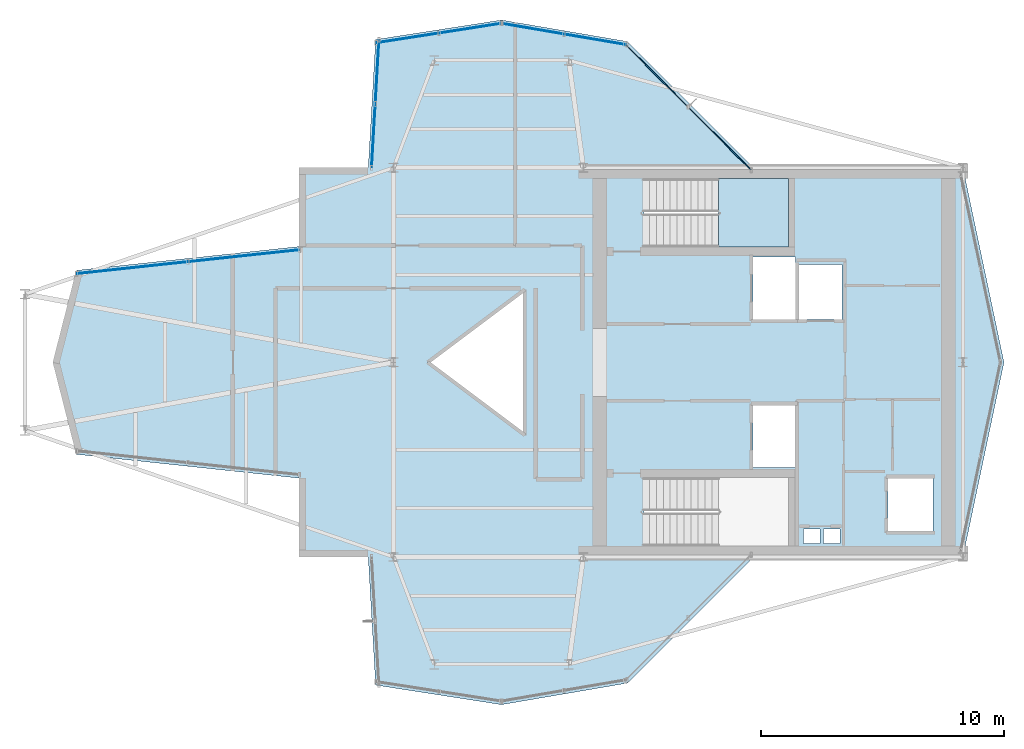
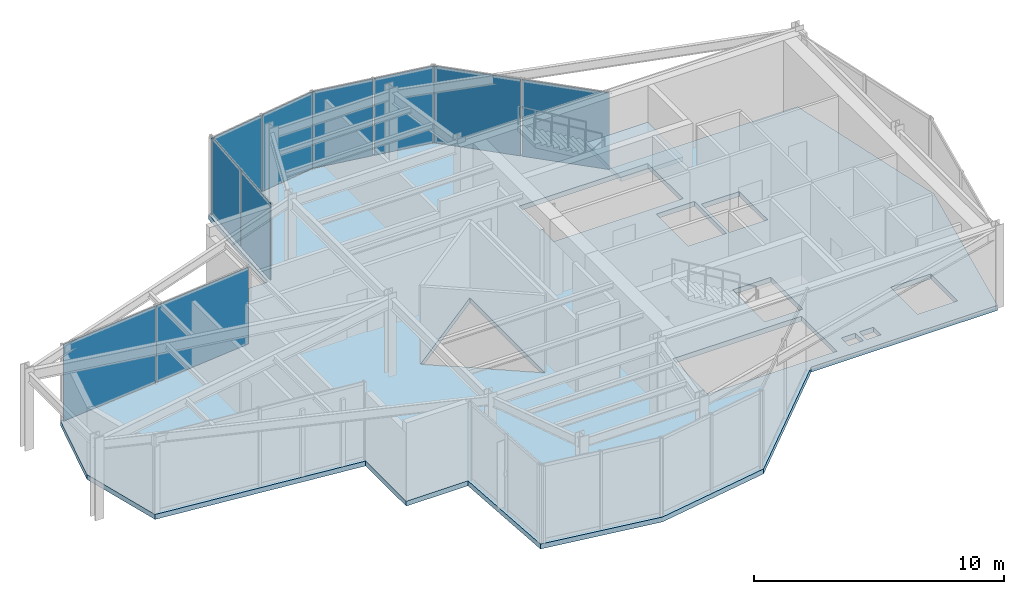
# One storey, part 9 of 13: 10 plates, 2 slabs, 6 elements without a shape of their own.
"""IFC4 building model written with IfcOpenShell, lengths in metres."""

from ifc_helpers import new_model, si_unit, direction, frame, origin, origin_2d, place, context, subcontext, project, spatial, polyline, rectangle, outline, extrude, material, layer, layer_set, type_object, element, aggregate, save


model = new_model("IFC4")

# Units and contexts
model_context = context("Model", 3, precision=1e-05, world=origin(), true_north=direction((0.0, 1.0)))
body_context = subcontext(model_context, "Body", "Model", "MODEL_VIEW")
ifc_project = project(units=[si_unit("LENGTHUNIT", "METRE"), si_unit("AREAUNIT", "SQUARE_METRE"), si_unit("VOLUMEUNIT", "CUBIC_METRE"), si_unit("PLANEANGLEUNIT", "RADIAN"), si_unit("MASSUNIT", "GRAM", prefix="KILO")], contexts=[model_context])

# Site, building, storey
site_placement = place(None, origin())
site = spatial("IfcSite", under=ifc_project, at=site_placement, CompositionType="ELEMENT")
building_placement = place(site_placement, origin())
building = spatial("IfcBuilding", under=site, at=building_placement, Name="Veymaron Broadcast Tower", CompositionType="ELEMENT")
storey_placement = place(building_placement, frame((0.0, 0.0, 307.35009765625)))
storey = spatial("IfcBuildingStorey", under=building, at=storey_placement, Name="L72", CompositionType="ELEMENT", Elevation=307.35009765625)

# Curtain wall, plates
ifc_material_1 = material(Name="Anodised aluminium AA 6063-T6 and laminated low-E dark glass", Category="aluminium")
ifc_layer_1 = layer(ifc_material_1, 0.179931640625)
ifc_layer_set_1 = layer_set([ifc_layer_1], Name="Anodised aluminium AA 6063-T6 and laminated low-E dark glass")
curtain_wall_type = type_object("IfcCurtainWallType", Name="CW-SYS-06", PredefinedType="NOTDEFINED", material=ifc_layer_set_1)
curtain_wall_1_placement = place(storey_placement, origin())
curtain_wall_1 = element("IfcCurtainWall", 1, at=curtain_wall_1_placement, inside=storey, type_object=curtain_wall_type, Name="L72 dark-glass curtain wall CW-L72-E5-1", PredefinedType="NOTDEFINED")
ifc_material_2 = material(Name="Insulated dark-anodised aluminium spandrel panel 40 mm", Category="aluminium")
ifc_layer_2 = layer(ifc_material_2, 0.0400390625)
ifc_layer_set_2 = layer_set([ifc_layer_2], Name="Insulated dark-anodised aluminium spandrel panel 40 mm")
plate_type = type_object("IfcPlateType", Name="CW-PNL-03", PredefinedType="CURTAIN_PANEL", material=ifc_layer_set_2)
plate_1_placement = place(storey_placement, frame((44.60302734375, 33.197265625, 0.039794921875), z_axis=(0.0, 0.0, 1.0), x_axis=(-0.707402911339, 0.706810526965, 0.0)))
plate_1 = element("IfcPlate", 2, at=plate_1_placement, type_object=plate_type, Name="CW-L72-E5-1 unitised curtain panel 0", PredefinedType="CURTAIN_PANEL", context=body_context, shape_type="SweptSolid", body=[
    extrude(rectangle(XDim=3.60791015625, YDim=0.0400390625, at=origin_2d()), origin(), (0.0, 0.0, 1.0), 3.72998046875),
])
plate_2_placement = place(storey_placement, frame((42.00830078125, 35.78955078125, 0.039794921875), z_axis=(0.0, 0.0, 1.0), x_axis=(-0.707402911339, 0.706810526965, 0.0)))
plate_2 = element("IfcPlate", 3, at=plate_2_placement, type_object=plate_type, Name="CW-L72-E5-1 unitised curtain panel 1", PredefinedType="CURTAIN_PANEL", context=body_context, shape_type="SweptSolid", body=[
    extrude(rectangle(XDim=3.60791015625, YDim=0.0400390625, at=origin_2d()), origin(), (0.0, 0.0, 1.0), 3.72998046875),
])
aggregate(curtain_wall_1, [plate_1, plate_2])

curtain_wall_2_placement = place(storey_placement, origin())
curtain_wall_2 = element("IfcCurtainWall", 4, at=curtain_wall_2_placement, inside=storey, type_object=curtain_wall_type, Name="L72 dark-glass curtain wall CW-L72-E6-1", PredefinedType="NOTDEFINED")
plate_3_placement = place(storey_placement, frame((39.493408203125, 37.267822265625, 0.039794921875), z_axis=(0.0, 0.0, 1.0), x_axis=(-0.985697587099, 0.168523787004, 0.0)))
plate_3 = element("IfcPlate", 5, at=plate_3_placement, type_object=plate_type, Name="CW-L72-E6-1 unitised curtain panel 0", PredefinedType="CURTAIN_PANEL", context=body_context, shape_type="SweptSolid", body=[
    extrude(rectangle(XDim=2.56396484375, YDim=0.0400390625, at=origin_2d()), origin(), (0.0, 0.0, 1.0), 3.72998046875),
])
plate_4_placement = place(storey_placement, frame((36.90673828125, 37.710205078125, 0.039794921875), z_axis=(0.0, 0.0, 1.0), x_axis=(-0.985697587099, 0.168523787004, 0.0)))
plate_4 = element("IfcPlate", 6, at=plate_4_placement, type_object=plate_type, Name="CW-L72-E6-1 unitised curtain panel 1", PredefinedType="CURTAIN_PANEL", context=body_context, shape_type="SweptSolid", body=[
    extrude(rectangle(XDim=2.56396484375, YDim=0.0400390625, at=origin_2d()), origin(), (0.0, 0.0, 1.0), 3.72998046875),
])
aggregate(curtain_wall_2, [plate_3, plate_4])

curtain_wall_3_placement = place(storey_placement, origin())
curtain_wall_3 = element("IfcCurtainWall", 7, at=curtain_wall_3_placement, inside=storey, type_object=curtain_wall_type, Name="L72 dark-glass curtain wall CW-L72-E7-1", PredefinedType="NOTDEFINED")
plate_5_placement = place(storey_placement, frame((34.365478515625, 37.72998046875, 0.039794921875), z_axis=(0.0, 0.0, 1.0), x_axis=(-0.988134743341, -0.153589482068, 0.0)))
plate_5 = element("IfcPlate", 8, at=plate_5_placement, type_object=plate_type, Name="CW-L72-E7-1 unitised curtain panel 0", PredefinedType="CURTAIN_PANEL", context=body_context, shape_type="SweptSolid", body=[
    extrude(rectangle(XDim=2.5576171875, YDim=0.0400390625, at=origin_2d()), origin(), (0.0, 0.0, 1.0), 3.72998046875),
])
plate_6_placement = place(storey_placement, frame((31.779052734375, 37.327880859375, 0.039794921875), z_axis=(0.0, 0.0, 1.0), x_axis=(-0.988134743341, -0.153589482068, 0.0)))
plate_6 = element("IfcPlate", 9, at=plate_6_placement, type_object=plate_type, Name="CW-L72-E7-1 unitised curtain panel 1", PredefinedType="CURTAIN_PANEL", context=body_context, shape_type="SweptSolid", body=[
    extrude(rectangle(XDim=2.5576171875, YDim=0.0400390625, at=origin_2d()), origin(), (0.0, 0.0, 1.0), 3.72998046875),
])
aggregate(curtain_wall_3, [plate_5, plate_6])

curtain_wall_4_placement = place(storey_placement, origin())
curtain_wall_4 = element("IfcCurtainWall", 10, at=curtain_wall_4_placement, inside=storey, type_object=curtain_wall_type, Name="L72 dark-glass curtain wall CW-L72-E8-1", PredefinedType="NOTDEFINED")
plate_7_placement = place(storey_placement, frame((30.528076171875, 35.94091796875, 0.039794921875), z_axis=(0.0, 0.0, 1.0), x_axis=(-0.057720845415, -0.998332762161, 0.0)))
plate_7 = element("IfcPlate", 11, at=plate_7_placement, type_object=plate_type, Name="CW-L72-E8-1 unitised curtain panel 0", PredefinedType="CURTAIN_PANEL", context=body_context, shape_type="SweptSolid", body=[
    extrude(rectangle(XDim=2.576904296875, YDim=0.0400390625, at=origin_2d()), origin(), (0.0, 0.0, 1.0), 3.72998046875),
])
plate_8_placement = place(storey_placement, frame((30.375732421875, 33.30810546875, 0.039794921875), z_axis=(0.0, 0.0, 1.0), x_axis=(-0.057720845415, -0.998332762161, 0.0)))
plate_8 = element("IfcPlate", 12, at=plate_8_placement, type_object=plate_type, Name="CW-L72-E8-1 unitised curtain panel 1", PredefinedType="CURTAIN_PANEL", context=body_context, shape_type="SweptSolid", body=[
    extrude(rectangle(XDim=2.576904296875, YDim=0.0400390625, at=origin_2d()), origin(), (0.0, 0.0, 1.0), 3.72998046875),
])
aggregate(curtain_wall_4, [plate_7, plate_8])

curtain_wall_5_placement = place(storey_placement, origin())
curtain_wall_5 = element("IfcCurtainWall", 13, at=curtain_wall_5_placement, inside=storey, type_object=curtain_wall_type, Name="L72 dark-glass curtain wall CW-L72-E11-1", PredefinedType="NOTDEFINED")
plate_9_placement = place(storey_placement, frame((25.0400390625, 28.375732421875, 0.039794921875), z_axis=(0.0, 0.0, 1.0), x_axis=(-0.994321239945, -0.106420260264, 0.0)))
plate_9 = element("IfcPlate", 14, at=plate_9_placement, type_object=plate_type, Name="CW-L72-E11-1 unitised curtain panel 0", PredefinedType="CURTAIN_PANEL", context=body_context, shape_type="SweptSolid", body=[
    extrude(rectangle(XDim=4.54296875, YDim=0.0400390625, at=origin_2d()), origin(), (0.0, 0.0, 1.0), 3.72998046875),
])
plate_10_placement = place(storey_placement, frame((20.46337890625, 27.885986328125, 0.039794921875), z_axis=(0.0, 0.0, 1.0), x_axis=(-0.994321239945, -0.106420260264, 0.0)))
plate_10 = element("IfcPlate", 15, at=plate_10_placement, type_object=plate_type, Name="CW-L72-E11-1 unitised curtain panel 1", PredefinedType="CURTAIN_PANEL", context=body_context, shape_type="SweptSolid", body=[
    extrude(rectangle(XDim=4.54296875, YDim=0.0400390625, at=origin_2d()), origin(), (0.0, 0.0, 1.0), 3.72998046875),
])
aggregate(curtain_wall_5, [plate_9, plate_10])

# Slab
ifc_material_3 = material(Name="Concrete C40/50", Category="concrete")
ifc_layer_3 = layer(ifc_material_3, 0.239990234375)
ifc_layer_set_3 = layer_set([ifc_layer_3], Name="Concrete C40/50")
slab_type_1 = type_object("IfcSlabType", Name="SLAB-FS6", PredefinedType="FLOOR", material=ifc_layer_set_3)
slab_1_placement = place(storey_placement, frame((0.0, 0.0, -0.239990234375)))
element("IfcSlab", 16, at=slab_1_placement, inside=storey, type_object=slab_type_1, Name="L72 structural floor slab", PredefinedType="FLOOR", context=body_context, shape_type="SweptSolid", body=[
    extrude(outline(polyline([(45.999267578125, 16.0), (54.60009765625, 16.0), (56.288330078125, 24.0), (54.60009765625, 32.0), (45.999267578125, 32.0), (40.81005859375, 37.184814453125), (35.63720703125, 38.069091796875), (30.46435546875, 37.26513671875), (30.159912109375, 32.0), (27.313720703125, 32.0), (27.313720703125, 28.760009765625), (18.159912109375, 27.7802734375), (17.1953125, 24.0), (18.159912109375, 20.2197265625), (27.313720703125, 19.239990234375), (27.313720703125, 16.0), (30.159912109375, 16.0), (30.46435546875, 10.73486328125), (35.63720703125, 9.930908203125), (40.81005859375, 10.815185546875), (45.999267578125, 16.0)]), holes=[polyline([(45.969970703125, 28.330078125), (47.72998046875, 28.330078125), (47.72998046875, 25.77001953125), (45.969970703125, 25.77001953125), (45.969970703125, 28.330078125)]), polyline([(45.969970703125, 22.22998046875), (47.72998046875, 22.22998046875), (47.72998046875, 19.669921875), (45.969970703125, 19.669921875), (45.969970703125, 22.22998046875)]), polyline([(47.8701171875, 28.030029296875), (49.6298828125, 28.030029296875), (49.6298828125, 25.77001953125), (47.8701171875, 25.77001953125), (47.8701171875, 28.030029296875)]), polyline([(51.52001953125, 19.22998046875), (53.3798828125, 19.22998046875), (53.3798828125, 17.070068359375), (51.52001953125, 17.070068359375), (51.52001953125, 19.22998046875)]), polyline([(48.050048828125, 17.159912109375), (48.719970703125, 17.159912109375), (48.719970703125, 16.56005859375), (48.050048828125, 16.56005859375), (48.050048828125, 17.159912109375)]), polyline([(48.8798828125, 17.159912109375), (49.550048828125, 17.159912109375), (49.550048828125, 16.56005859375), (48.8798828125, 16.56005859375), (48.8798828125, 17.159912109375)]), polyline([(36.60009765625, 27.0), (36.60009765625, 21.0), (32.60009765625, 24.0), (36.60009765625, 27.0)]), polyline([(41.489990234375, 31.550048828125), (47.43994140625, 31.550048828125), (47.43994140625, 28.72998046875), (41.489990234375, 28.72998046875), (41.489990234375, 31.550048828125)]), polyline([(41.489990234375, 19.27001953125), (47.43994140625, 19.27001953125), (47.43994140625, 16.449951171875), (41.489990234375, 16.449951171875), (41.489990234375, 19.27001953125)])]), origin(), (0.0, 0.0, 1.0), 0.239990234375),
])

# Stair, slab
ifc_material_4 = material(Name="Concrete C50/60", Category="concrete")
stair_type = type_object("IfcStairType", Name="STAIR-CORE-1", PredefinedType="HALF_TURN_STAIR", material=ifc_material_4)
stair_placement = place(storey_placement, origin())
stair = element("IfcStair", 17, at=stair_placement, inside=storey, type_object=stair_type, Name="L72 North protected dog-leg exit stair ST1", PredefinedType="HALF_TURN_STAIR")
ifc_layer_4 = layer(ifc_material_4, 0.199951171875)
ifc_layer_set_4 = layer_set([ifc_layer_4], Name="Concrete C50/60")
slab_type_2 = type_object("IfcSlabType", Name="SLAB-STAIR-LDG", PredefinedType="LANDING", material=ifc_layer_set_4)
slab_2_placement = place(storey_placement, frame((0.0, 0.0, 1.824951171875)))
slab_2 = element("IfcSlab", 18, at=slab_2_placement, type_object=slab_type_2, Name="ST1 landing 1", PredefinedType="LANDING", context=body_context, shape_type="SweptSolid", body=[
    extrude(outline(polyline([(44.56494140625, 28.72998046875), (47.43994140625, 28.72998046875), (47.43994140625, 31.550048828125), (44.56494140625, 31.550048828125), (44.56494140625, 28.72998046875)])), origin(), (0.0, 0.0, 1.0), 0.199951171875),
])
aggregate(stair, [slab_2])

save(model, "model.ifc")
